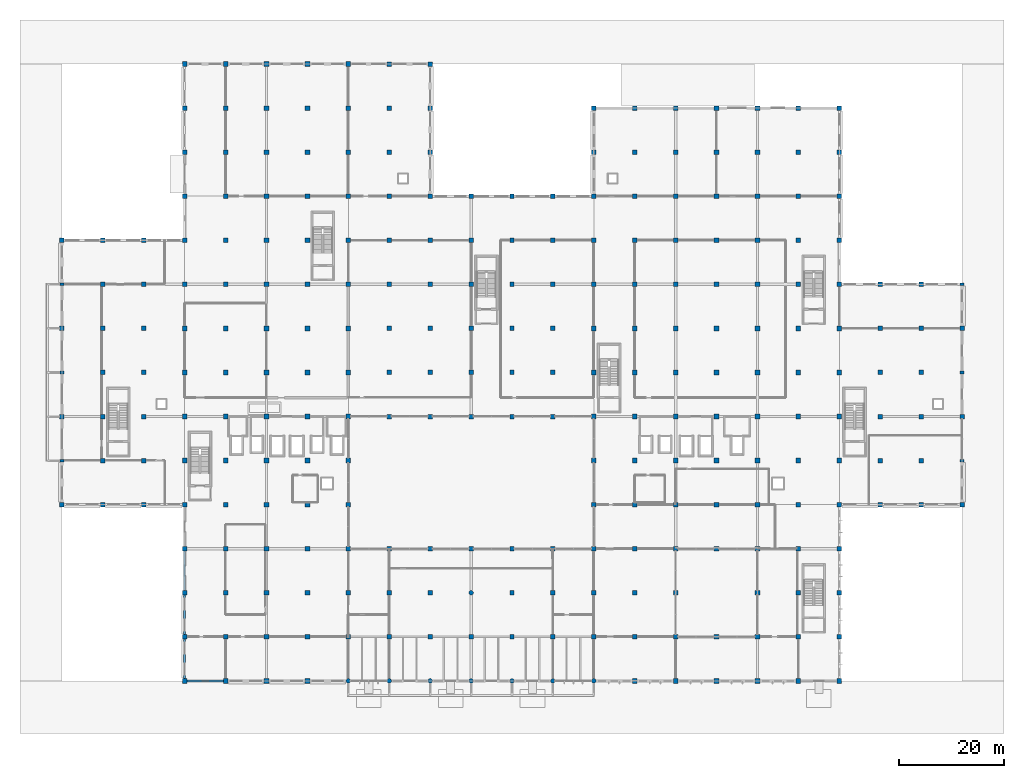
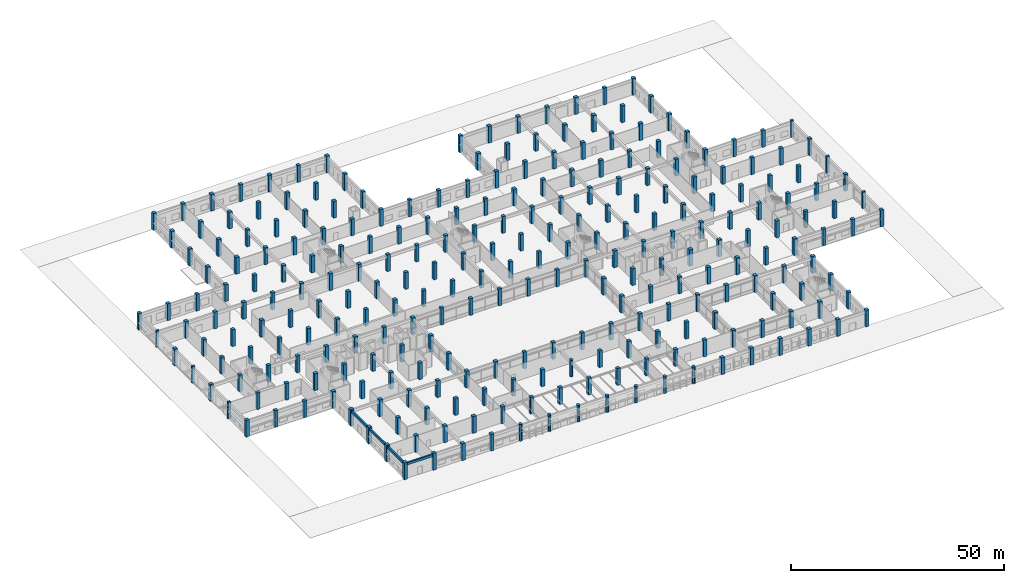
# One storey, part 1 of 74: 267 columns, 4 beams.
"""IFC4 building model written with IfcOpenShell, lengths in metres."""

from ifc_helpers import new_model, si_unit, direction, frame, origin, origin_2d, place, context, subcontext, project, spatial, rectangle, circle, extrude, material, material_profile, profile_set, type_object, element, save


model = new_model("IFC4")

# Units and contexts
model_context = context("Model", 3, precision=1e-05, world=origin(), true_north=direction((0.0, 1.0)))
body_context = subcontext(model_context, "Body", "Model", "MODEL_VIEW")
ifc_project = project(units=[si_unit("LENGTHUNIT", "METRE"), si_unit("AREAUNIT", "SQUARE_METRE"), si_unit("VOLUMEUNIT", "CUBIC_METRE"), si_unit("PLANEANGLEUNIT", "RADIAN"), si_unit("MASSUNIT", "GRAM", prefix="KILO"), si_unit("THERMODYNAMICTEMPERATUREUNIT", "KELVIN"), si_unit("POWERUNIT", "WATT")], contexts=[model_context])

# Site, building, storey
site_placement = place(None, origin())
site = spatial("IfcSite", under=ifc_project, at=site_placement, CompositionType="ELEMENT")
building_placement = place(site_placement, origin())
building = spatial("IfcBuilding", under=site, at=building_placement, Name="Srebrne Nadtorze General Hospital", CompositionType="ELEMENT")
storey_placement = place(building_placement, origin())
storey = spatial("IfcBuildingStorey", under=building, at=storey_placement, Name="L00", CompositionType="ELEMENT", Elevation=0.0)

# Columns
ifc_material_1 = material(Name="Concrete C40/50", Category="concrete")
ifc_material_profile_1 = material_profile(ifc_material_1, rectangle(XDim=0.5, YDim=0.75, at=origin_2d()), Name="RC-PIL-500x750")
ifc_profile_set_1 = profile_set([ifc_material_profile_1], Name="Concrete C40/50")
column_type_1 = type_object("IfcColumnType", Name="Pilaster column 500x750", PredefinedType="PILASTER", material=ifc_profile_set_1)
for number, where, z_axis, x_axis, name in (
    (1, (0.0, 42.0, 0.0), (0.0, 0.0, 1.0), (0.0, 1.0, 0.0), "Column CL-L00-1-F"),
    (2, (0.0, 58.800048828125, 0.0), (0.0, 0.0, 1.0), (0.0, 1.0, 0.0), "Column CL-L00-1-H"),
    (3, (0.0, 75.60009765625, 0.0), (0.0, 0.0, 1.0), (0.0, 1.0, 0.0), "Column CL-L00-1-K"),
    (4, (171.60009765625, 42.0, 0.0), (0.0, 0.0, 1.0), (0.0, 1.0, 0.0), "Column CL-L00-23-F"),
    (5, (171.60009765625, 58.800048828125, 0.0), (0.0, 0.0, 1.0), (0.0, 1.0, 0.0), "Column CL-L00-23-H"),
    (6, (171.60009765625, 75.60009765625, 0.0), (0.0, 0.0, 1.0), (0.0, 1.0, 0.0), "Column CL-L00-23-K"),
):
    element("IfcColumn", number, at=place(storey_placement, frame(where, z_axis=z_axis, x_axis=x_axis)), inside=storey, type_object=column_type_1, Name=name, PredefinedType="PILASTER", context=body_context, shape_type="SweptSolid", body=[
        extrude(rectangle(XDim=0.5, YDim=0.75, at=origin_2d()), origin(), (0.0, 0.0, 1.0), 4.800048828125),
    ])
ifc_material_2 = material(Name="Concrete C40/50", Category="concrete")
ifc_material_profile_2 = material_profile(ifc_material_2, rectangle(XDim=0.85009765625, YDim=0.85009765625, at=origin_2d()), Name="RC-COL-850x850")
ifc_profile_set_2 = profile_set([ifc_material_profile_2], Name="Concrete C40/50")
column_type_2 = type_object("IfcColumnType", Name="Reinforced concrete column 850x850", PredefinedType="COLUMN", material=ifc_profile_set_2)
for number, where, z_axis, x_axis, name in (
    (7, (0.0, 33.60009765625, 0.0), (0.0, 0.0, 1.0), (1.0, 0.0, 0.0), "Column CL-L00-1-E"),
    (8, (0.0, 50.39990234375, 0.0), (0.0, 0.0, 1.0), (1.0, 0.0, 0.0), "Column CL-L00-1-G"),
    (9, (0.0, 67.199951171875, 0.0), (0.0, 0.0, 1.0), (1.0, 0.0, 0.0), "Column CL-L00-1-J"),
    (10, (0.0, 84.0, 0.0), (0.0, 0.0, 1.0), (1.0, 0.0, 0.0), "Column CL-L00-1-L"),
    (11, (7.800048828125, 33.60009765625, 0.0), (0.0, 0.0, 1.0), (1.0, 0.0, 0.0), "Column CL-L00-2-E"),
    (12, (7.800048828125, 42.0, 0.0), (0.0, 0.0, 1.0), (1.0, 0.0, 0.0), "Column CL-L00-2-F"),
    (13, (7.800048828125, 50.39990234375, 0.0), (0.0, 0.0, 1.0), (1.0, 0.0, 0.0), "Column CL-L00-2-G"),
    (14, (7.800048828125, 58.800048828125, 0.0), (0.0, 0.0, 1.0), (1.0, 0.0, 0.0), "Column CL-L00-2-H"),
    (15, (7.800048828125, 67.199951171875, 0.0), (0.0, 0.0, 1.0), (1.0, 0.0, 0.0), "Column CL-L00-2-J"),
    (16, (7.800048828125, 75.60009765625, 0.0), (0.0, 0.0, 1.0), (1.0, 0.0, 0.0), "Column CL-L00-2-K"),
    (17, (7.800048828125, 84.0, 0.0), (0.0, 0.0, 1.0), (1.0, 0.0, 0.0), "Column CL-L00-2-L"),
    (18, (15.60009765625, 33.60009765625, 0.0), (0.0, 0.0, 1.0), (1.0, 0.0, 0.0), "Column CL-L00-3-E"),
    (19, (15.60009765625, 42.0, 0.0), (0.0, 0.0, 1.0), (1.0, 0.0, 0.0), "Column CL-L00-3-F"),
    (20, (15.60009765625, 50.39990234375, 0.0), (0.0, 0.0, 1.0), (1.0, 0.0, 0.0), "Column CL-L00-3-G"),
    (21, (15.60009765625, 58.800048828125, 0.0), (0.0, 0.0, 1.0), (1.0, 0.0, 0.0), "Column CL-L00-3-H"),
    (22, (15.60009765625, 67.199951171875, 0.0), (0.0, 0.0, 1.0), (1.0, 0.0, 0.0), "Column CL-L00-3-J"),
    (23, (15.60009765625, 75.60009765625, 0.0), (0.0, 0.0, 1.0), (1.0, 0.0, 0.0), "Column CL-L00-3-K"),
    (24, (15.60009765625, 84.0, 0.0), (0.0, 0.0, 1.0), (1.0, 0.0, 0.0), "Column CL-L00-3-L"),
    (25, (62.39990234375, 8.39990234375, 0.0), (0.0, 0.0, 1.0), (1.0, 0.0, 0.0), "Column CL-L00-9-B"),
    (26, (62.39990234375, 16.800048828125, 0.0), (0.0, 0.0, 1.0), (1.0, 0.0, 0.0), "Column CL-L00-9-C"),
    (27, (62.39990234375, 25.199951171875, 0.0), (0.0, 0.0, 1.0), (1.0, 0.0, 0.0), "Column CL-L00-9-D"),
    (28, (62.39990234375, 50.39990234375, 0.0), (0.0, 0.0, 1.0), (1.0, 0.0, 0.0), "Column CL-L00-9-G"),
    (29, (62.39990234375, 58.800048828125, 0.0), (0.0, 0.0, 1.0), (1.0, 0.0, 0.0), "Column CL-L00-9-H"),
    (30, (62.39990234375, 67.199951171875, 0.0), (0.0, 0.0, 1.0), (1.0, 0.0, 0.0), "Column CL-L00-9-J"),
    (31, (62.39990234375, 75.60009765625, 0.0), (0.0, 0.0, 1.0), (1.0, 0.0, 0.0), "Column CL-L00-9-K"),
    (32, (62.39990234375, 84.0, 0.0), (0.0, 0.0, 1.0), (1.0, 0.0, 0.0), "Column CL-L00-9-L"),
    (33, (62.39990234375, 92.39990234375, 0.0), (0.0, 0.0, 1.0), (1.0, 0.0, 0.0), "Column CL-L00-9-M"),
    (34, (62.39990234375, 100.800048828125, 0.0), (0.0, 0.0, 1.0), (1.0, 0.0, 0.0), "Column CL-L00-9-N"),
    (35, (62.39990234375, 109.199951171875, 0.0), (0.0, 0.0, 1.0), (1.0, 0.0, 0.0), "Column CL-L00-9-P"),
    (36, (62.39990234375, 117.60009765625, 0.0), (0.0, 0.0, 1.0), (1.0, 0.0, 0.0), "Column CL-L00-9-Q"),
    (37, (70.199951171875, 8.39990234375, 0.0), (0.0, 0.0, 1.0), (1.0, 0.0, 0.0), "Column CL-L00-10-B"),
    (38, (70.199951171875, 16.800048828125, 0.0), (0.0, 0.0, 1.0), (1.0, 0.0, 0.0), "Column CL-L00-10-C"),
    (39, (70.199951171875, 25.199951171875, 0.0), (0.0, 0.0, 1.0), (1.0, 0.0, 0.0), "Column CL-L00-10-D"),
    (40, (70.199951171875, 50.39990234375, 0.0), (0.0, 0.0, 1.0), (1.0, 0.0, 0.0), "Column CL-L00-10-G"),
    (41, (70.199951171875, 58.800048828125, 0.0), (0.0, 0.0, 1.0), (1.0, 0.0, 0.0), "Column CL-L00-10-H"),
    (42, (70.199951171875, 67.199951171875, 0.0), (0.0, 0.0, 1.0), (1.0, 0.0, 0.0), "Column CL-L00-10-J"),
    (43, (70.199951171875, 75.60009765625, 0.0), (0.0, 0.0, 1.0), (1.0, 0.0, 0.0), "Column CL-L00-10-K"),
    (44, (70.199951171875, 84.0, 0.0), (0.0, 0.0, 1.0), (1.0, 0.0, 0.0), "Column CL-L00-10-L"),
    (45, (70.199951171875, 92.39990234375, 0.0), (0.0, 0.0, 1.0), (1.0, 0.0, 0.0), "Column CL-L00-10-M"),
    (46, (70.199951171875, 100.800048828125, 0.0), (0.0, 0.0, 1.0), (1.0, 0.0, 0.0), "Column CL-L00-10-N"),
    (47, (70.199951171875, 109.199951171875, 0.0), (0.0, 0.0, 1.0), (1.0, 0.0, 0.0), "Column CL-L00-10-P"),
    (48, (70.199951171875, 117.60009765625, 0.0), (0.0, 0.0, 1.0), (1.0, 0.0, 0.0), "Column CL-L00-10-Q"),
    (49, (78.0, 8.39990234375, 0.0), (0.0, 0.0, 1.0), (1.0, 0.0, 0.0), "Column CL-L00-11-B"),
    (50, (78.0, 25.199951171875, 0.0), (0.0, 0.0, 1.0), (1.0, 0.0, 0.0), "Column CL-L00-11-D"),
    (51, (78.0, 50.39990234375, 0.0), (0.0, 0.0, 1.0), (1.0, 0.0, 0.0), "Column CL-L00-11-G"),
    (52, (78.0, 58.800048828125, 0.0), (0.0, 0.0, 1.0), (1.0, 0.0, 0.0), "Column CL-L00-11-H"),
    (53, (78.0, 67.199951171875, 0.0), (0.0, 0.0, 1.0), (1.0, 0.0, 0.0), "Column CL-L00-11-J"),
    (54, (78.0, 75.60009765625, 0.0), (0.0, 0.0, 1.0), (1.0, 0.0, 0.0), "Column CL-L00-11-K"),
    (55, (78.0, 84.0, 0.0), (0.0, 0.0, 1.0), (1.0, 0.0, 0.0), "Column CL-L00-11-L"),
    (56, (78.0, 92.39990234375, 0.0), (0.0, 0.0, 1.0), (1.0, 0.0, 0.0), "Column CL-L00-11-M"),
    (57, (85.800048828125, 8.39990234375, 0.0), (0.0, 0.0, 1.0), (1.0, 0.0, 0.0), "Column CL-L00-12-B"),
    (58, (85.800048828125, 16.800048828125, 0.0), (0.0, 0.0, 1.0), (1.0, 0.0, 0.0), "Column CL-L00-12-C"),
    (59, (85.800048828125, 25.199951171875, 0.0), (0.0, 0.0, 1.0), (1.0, 0.0, 0.0), "Column CL-L00-12-D"),
    (60, (85.800048828125, 50.39990234375, 0.0), (0.0, 0.0, 1.0), (1.0, 0.0, 0.0), "Column CL-L00-12-G"),
    (61, (85.800048828125, 58.800048828125, 0.0), (0.0, 0.0, 1.0), (1.0, 0.0, 0.0), "Column CL-L00-12-H"),
    (62, (85.800048828125, 67.199951171875, 0.0), (0.0, 0.0, 1.0), (1.0, 0.0, 0.0), "Column CL-L00-12-J"),
    (63, (85.800048828125, 75.60009765625, 0.0), (0.0, 0.0, 1.0), (1.0, 0.0, 0.0), "Column CL-L00-12-K"),
    (64, (85.800048828125, 84.0, 0.0), (0.0, 0.0, 1.0), (1.0, 0.0, 0.0), "Column CL-L00-12-L"),
    (65, (85.800048828125, 92.39990234375, 0.0), (0.0, 0.0, 1.0), (1.0, 0.0, 0.0), "Column CL-L00-12-M"),
    (66, (93.60009765625, 8.39990234375, 0.0), (0.0, 0.0, 1.0), (1.0, 0.0, 0.0), "Column CL-L00-13-B"),
    (67, (93.60009765625, 16.800048828125, 0.0), (0.0, 0.0, 1.0), (1.0, 0.0, 0.0), "Column CL-L00-13-C"),
    (68, (93.60009765625, 25.199951171875, 0.0), (0.0, 0.0, 1.0), (1.0, 0.0, 0.0), "Column CL-L00-13-D"),
    (69, (93.60009765625, 50.39990234375, 0.0), (0.0, 0.0, 1.0), (1.0, 0.0, 0.0), "Column CL-L00-13-G"),
    (70, (93.60009765625, 58.800048828125, 0.0), (0.0, 0.0, 1.0), (1.0, 0.0, 0.0), "Column CL-L00-13-H"),
    (71, (93.60009765625, 67.199951171875, 0.0), (0.0, 0.0, 1.0), (1.0, 0.0, 0.0), "Column CL-L00-13-J"),
    (72, (93.60009765625, 75.60009765625, 0.0), (0.0, 0.0, 1.0), (1.0, 0.0, 0.0), "Column CL-L00-13-K"),
    (73, (93.60009765625, 84.0, 0.0), (0.0, 0.0, 1.0), (1.0, 0.0, 0.0), "Column CL-L00-13-L"),
    (74, (93.60009765625, 92.39990234375, 0.0), (0.0, 0.0, 1.0), (1.0, 0.0, 0.0), "Column CL-L00-13-M"),
    (75, (156.0, 33.60009765625, 0.0), (0.0, 0.0, 1.0), (1.0, 0.0, 0.0), "Column CL-L00-21-E"),
    (76, (156.0, 42.0, 0.0), (0.0, 0.0, 1.0), (1.0, 0.0, 0.0), "Column CL-L00-21-F"),
    (77, (156.0, 50.39990234375, 0.0), (0.0, 0.0, 1.0), (1.0, 0.0, 0.0), "Column CL-L00-21-G"),
    (78, (156.0, 58.800048828125, 0.0), (0.0, 0.0, 1.0), (1.0, 0.0, 0.0), "Column CL-L00-21-H"),
    (79, (156.0, 67.199951171875, 0.0), (0.0, 0.0, 1.0), (1.0, 0.0, 0.0), "Column CL-L00-21-J"),
    (80, (156.0, 75.60009765625, 0.0), (0.0, 0.0, 1.0), (1.0, 0.0, 0.0), "Column CL-L00-21-K"),
    (81, (163.800048828125, 33.60009765625, 0.0), (0.0, 0.0, 1.0), (1.0, 0.0, 0.0), "Column CL-L00-22-E"),
    (82, (163.800048828125, 42.0, 0.0), (0.0, 0.0, 1.0), (1.0, 0.0, 0.0), "Column CL-L00-22-F"),
    (83, (163.800048828125, 50.39990234375, 0.0), (0.0, 0.0, 1.0), (1.0, 0.0, 0.0), "Column CL-L00-22-G"),
    (84, (163.800048828125, 58.800048828125, 0.0), (0.0, 0.0, 1.0), (1.0, 0.0, 0.0), "Column CL-L00-22-H"),
    (85, (163.800048828125, 67.199951171875, 0.0), (0.0, 0.0, 1.0), (1.0, 0.0, 0.0), "Column CL-L00-22-J"),
    (86, (163.800048828125, 75.60009765625, 0.0), (0.0, 0.0, 1.0), (1.0, 0.0, 0.0), "Column CL-L00-22-K"),
    (87, (171.60009765625, 33.60009765625, 0.0), (0.0, 0.0, 1.0), (1.0, 0.0, 0.0), "Column CL-L00-23-E"),
    (88, (171.60009765625, 50.39990234375, 0.0), (0.0, 0.0, 1.0), (1.0, 0.0, 0.0), "Column CL-L00-23-G"),
    (89, (171.60009765625, 67.199951171875, 0.0), (0.0, 0.0, 1.0), (1.0, 0.0, 0.0), "Column CL-L00-23-J"),
):
    element("IfcColumn", number, at=place(storey_placement, frame(where, z_axis=z_axis, x_axis=x_axis)), inside=storey, type_object=column_type_2, Name=name, PredefinedType="COLUMN", context=body_context, shape_type="SweptSolid", body=[
        extrude(rectangle(XDim=0.85009765625, YDim=0.85009765625, at=origin_2d()), origin(), (0.0, 0.0, 1.0), 4.800048828125),
    ])
ifc_material_3 = material(Name="Concrete C40/50", Category="concrete")
ifc_material_profile_3 = material_profile(ifc_material_3, rectangle(XDim=0.89990234375, YDim=0.89990234375, at=origin_2d()), Name="RC-COL-900x900")
ifc_profile_set_3 = profile_set([ifc_material_profile_3], Name="Concrete C40/50")
column_type_3 = type_object("IfcColumnType", Name="Reinforced concrete column 900x900", PredefinedType="COLUMN", material=ifc_profile_set_3)
for number, where, z_axis, x_axis, name in (
    (90, (23.39990234375, 0.0, 0.0), (0.0, 0.0, 1.0), (1.0, 0.0, 0.0), "Column CL-L00-4-A"),
    (91, (23.39990234375, 8.39990234375, 0.0), (0.0, 0.0, 1.0), (1.0, 0.0, 0.0), "Column CL-L00-4-B"),
    (92, (23.39990234375, 16.800048828125, 0.0), (0.0, 0.0, 1.0), (1.0, 0.0, 0.0), "Column CL-L00-4-C"),
    (93, (23.39990234375, 25.199951171875, 0.0), (0.0, 0.0, 1.0), (1.0, 0.0, 0.0), "Column CL-L00-4-D"),
    (94, (23.39990234375, 33.60009765625, 0.0), (0.0, 0.0, 1.0), (1.0, 0.0, 0.0), "Column CL-L00-4-E"),
    (95, (23.39990234375, 42.0, 0.0), (0.0, 0.0, 1.0), (1.0, 0.0, 0.0), "Column CL-L00-4-F"),
    (96, (23.39990234375, 50.39990234375, 0.0), (0.0, 0.0, 1.0), (1.0, 0.0, 0.0), "Column CL-L00-4-G"),
    (97, (23.39990234375, 58.800048828125, 0.0), (0.0, 0.0, 1.0), (1.0, 0.0, 0.0), "Column CL-L00-4-H"),
    (98, (23.39990234375, 67.199951171875, 0.0), (0.0, 0.0, 1.0), (1.0, 0.0, 0.0), "Column CL-L00-4-J"),
    (99, (23.39990234375, 75.60009765625, 0.0), (0.0, 0.0, 1.0), (1.0, 0.0, 0.0), "Column CL-L00-4-K"),
    (100, (23.39990234375, 84.0, 0.0), (0.0, 0.0, 1.0), (1.0, 0.0, 0.0), "Column CL-L00-4-L"),
    (101, (23.39990234375, 92.39990234375, 0.0), (0.0, 0.0, 1.0), (1.0, 0.0, 0.0), "Column CL-L00-4-M"),
    (102, (23.39990234375, 100.800048828125, 0.0), (0.0, 0.0, 1.0), (1.0, 0.0, 0.0), "Column CL-L00-4-N"),
    (103, (23.39990234375, 109.199951171875, 0.0), (0.0, 0.0, 1.0), (1.0, 0.0, 0.0), "Column CL-L00-4-P"),
    (104, (23.39990234375, 117.60009765625, 0.0), (0.0, 0.0, 1.0), (1.0, 0.0, 0.0), "Column CL-L00-4-Q"),
    (105, (31.199951171875, 0.0, 0.0), (0.0, 0.0, 1.0), (1.0, 0.0, 0.0), "Column CL-L00-5-A"),
    (106, (31.199951171875, 8.39990234375, 0.0), (0.0, 0.0, 1.0), (1.0, 0.0, 0.0), "Column CL-L00-5-B"),
    (107, (31.199951171875, 16.800048828125, 0.0), (0.0, 0.0, 1.0), (1.0, 0.0, 0.0), "Column CL-L00-5-C"),
    (108, (31.199951171875, 25.199951171875, 0.0), (0.0, 0.0, 1.0), (1.0, 0.0, 0.0), "Column CL-L00-5-D"),
    (109, (31.199951171875, 33.60009765625, 0.0), (0.0, 0.0, 1.0), (1.0, 0.0, 0.0), "Column CL-L00-5-E"),
    (110, (31.199951171875, 42.0, 0.0), (0.0, 0.0, 1.0), (1.0, 0.0, 0.0), "Column CL-L00-5-F"),
    (111, (31.199951171875, 50.39990234375, 0.0), (0.0, 0.0, 1.0), (1.0, 0.0, 0.0), "Column CL-L00-5-G"),
    (112, (31.199951171875, 58.800048828125, 0.0), (0.0, 0.0, 1.0), (1.0, 0.0, 0.0), "Column CL-L00-5-H"),
    (113, (31.199951171875, 67.199951171875, 0.0), (0.0, 0.0, 1.0), (1.0, 0.0, 0.0), "Column CL-L00-5-J"),
    (114, (31.199951171875, 75.60009765625, 0.0), (0.0, 0.0, 1.0), (1.0, 0.0, 0.0), "Column CL-L00-5-K"),
    (115, (31.199951171875, 84.0, 0.0), (0.0, 0.0, 1.0), (1.0, 0.0, 0.0), "Column CL-L00-5-L"),
    (116, (31.199951171875, 92.39990234375, 0.0), (0.0, 0.0, 1.0), (1.0, 0.0, 0.0), "Column CL-L00-5-M"),
    (117, (31.199951171875, 100.800048828125, 0.0), (0.0, 0.0, 1.0), (1.0, 0.0, 0.0), "Column CL-L00-5-N"),
    (118, (31.199951171875, 109.199951171875, 0.0), (0.0, 0.0, 1.0), (1.0, 0.0, 0.0), "Column CL-L00-5-P"),
    (119, (31.199951171875, 117.60009765625, 0.0), (0.0, 0.0, 1.0), (1.0, 0.0, 0.0), "Column CL-L00-5-Q"),
    (120, (39.0, 0.0, 0.0), (0.0, 0.0, 1.0), (1.0, 0.0, 0.0), "Column CL-L00-6-A"),
    (121, (39.0, 8.39990234375, 0.0), (0.0, 0.0, 1.0), (1.0, 0.0, 0.0), "Column CL-L00-6-B"),
    (122, (39.0, 16.800048828125, 0.0), (0.0, 0.0, 1.0), (1.0, 0.0, 0.0), "Column CL-L00-6-C"),
    (123, (39.0, 25.199951171875, 0.0), (0.0, 0.0, 1.0), (1.0, 0.0, 0.0), "Column CL-L00-6-D"),
    (124, (39.0, 33.60009765625, 0.0), (0.0, 0.0, 1.0), (1.0, 0.0, 0.0), "Column CL-L00-6-E"),
    (125, (39.0, 42.0, 0.0), (0.0, 0.0, 1.0), (1.0, 0.0, 0.0), "Column CL-L00-6-F"),
    (126, (39.0, 50.39990234375, 0.0), (0.0, 0.0, 1.0), (1.0, 0.0, 0.0), "Column CL-L00-6-G"),
    (127, (39.0, 58.800048828125, 0.0), (0.0, 0.0, 1.0), (1.0, 0.0, 0.0), "Column CL-L00-6-H"),
    (128, (39.0, 67.199951171875, 0.0), (0.0, 0.0, 1.0), (1.0, 0.0, 0.0), "Column CL-L00-6-J"),
    (129, (39.0, 75.60009765625, 0.0), (0.0, 0.0, 1.0), (1.0, 0.0, 0.0), "Column CL-L00-6-K"),
    (130, (39.0, 84.0, 0.0), (0.0, 0.0, 1.0), (1.0, 0.0, 0.0), "Column CL-L00-6-L"),
    (131, (39.0, 92.39990234375, 0.0), (0.0, 0.0, 1.0), (1.0, 0.0, 0.0), "Column CL-L00-6-M"),
    (132, (39.0, 100.800048828125, 0.0), (0.0, 0.0, 1.0), (1.0, 0.0, 0.0), "Column CL-L00-6-N"),
    (133, (39.0, 109.199951171875, 0.0), (0.0, 0.0, 1.0), (1.0, 0.0, 0.0), "Column CL-L00-6-P"),
    (134, (39.0, 117.60009765625, 0.0), (0.0, 0.0, 1.0), (1.0, 0.0, 0.0), "Column CL-L00-6-Q"),
    (135, (46.800048828125, 0.0, 0.0), (0.0, 0.0, 1.0), (1.0, 0.0, 0.0), "Column CL-L00-7-A"),
    (136, (46.800048828125, 8.39990234375, 0.0), (0.0, 0.0, 1.0), (1.0, 0.0, 0.0), "Column CL-L00-7-B"),
    (137, (46.800048828125, 16.800048828125, 0.0), (0.0, 0.0, 1.0), (1.0, 0.0, 0.0), "Column CL-L00-7-C"),
    (138, (46.800048828125, 25.199951171875, 0.0), (0.0, 0.0, 1.0), (1.0, 0.0, 0.0), "Column CL-L00-7-D"),
    (139, (46.800048828125, 33.60009765625, 0.0), (0.0, 0.0, 1.0), (1.0, 0.0, 0.0), "Column CL-L00-7-E"),
    (140, (46.800048828125, 42.0, 0.0), (0.0, 0.0, 1.0), (1.0, 0.0, 0.0), "Column CL-L00-7-F"),
    (141, (46.800048828125, 50.39990234375, 0.0), (0.0, 0.0, 1.0), (1.0, 0.0, 0.0), "Column CL-L00-7-G"),
    (142, (46.800048828125, 58.800048828125, 0.0), (0.0, 0.0, 1.0), (1.0, 0.0, 0.0), "Column CL-L00-7-H"),
    (143, (46.800048828125, 67.199951171875, 0.0), (0.0, 0.0, 1.0), (1.0, 0.0, 0.0), "Column CL-L00-7-J"),
    (144, (46.800048828125, 75.60009765625, 0.0), (0.0, 0.0, 1.0), (1.0, 0.0, 0.0), "Column CL-L00-7-K"),
    (145, (46.800048828125, 84.0, 0.0), (0.0, 0.0, 1.0), (1.0, 0.0, 0.0), "Column CL-L00-7-L"),
    (146, (46.800048828125, 92.39990234375, 0.0), (0.0, 0.0, 1.0), (1.0, 0.0, 0.0), "Column CL-L00-7-M"),
    (147, (46.800048828125, 100.800048828125, 0.0), (0.0, 0.0, 1.0), (1.0, 0.0, 0.0), "Column CL-L00-7-N"),
    (148, (46.800048828125, 109.199951171875, 0.0), (0.0, 0.0, 1.0), (1.0, 0.0, 0.0), "Column CL-L00-7-P"),
    (149, (46.800048828125, 117.60009765625, 0.0), (0.0, 0.0, 1.0), (1.0, 0.0, 0.0), "Column CL-L00-7-Q"),
    (150, (54.60009765625, 8.39990234375, 0.0), (0.0, 0.0, 1.0), (1.0, 0.0, 0.0), "Column CL-L00-8-B"),
    (151, (54.60009765625, 16.800048828125, 0.0), (0.0, 0.0, 1.0), (1.0, 0.0, 0.0), "Column CL-L00-8-C"),
    (152, (54.60009765625, 25.199951171875, 0.0), (0.0, 0.0, 1.0), (1.0, 0.0, 0.0), "Column CL-L00-8-D"),
    (153, (54.60009765625, 33.60009765625, 0.0), (0.0, 0.0, 1.0), (1.0, 0.0, 0.0), "Column CL-L00-8-E"),
    (154, (54.60009765625, 42.0, 0.0), (0.0, 0.0, 1.0), (1.0, 0.0, 0.0), "Column CL-L00-8-F"),
    (155, (54.60009765625, 50.39990234375, 0.0), (0.0, 0.0, 1.0), (1.0, 0.0, 0.0), "Column CL-L00-8-G"),
    (156, (54.60009765625, 58.800048828125, 0.0), (0.0, 0.0, 1.0), (1.0, 0.0, 0.0), "Column CL-L00-8-H"),
    (157, (54.60009765625, 67.199951171875, 0.0), (0.0, 0.0, 1.0), (1.0, 0.0, 0.0), "Column CL-L00-8-J"),
    (158, (54.60009765625, 75.60009765625, 0.0), (0.0, 0.0, 1.0), (1.0, 0.0, 0.0), "Column CL-L00-8-K"),
    (159, (54.60009765625, 84.0, 0.0), (0.0, 0.0, 1.0), (1.0, 0.0, 0.0), "Column CL-L00-8-L"),
    (160, (54.60009765625, 92.39990234375, 0.0), (0.0, 0.0, 1.0), (1.0, 0.0, 0.0), "Column CL-L00-8-M"),
    (161, (54.60009765625, 100.800048828125, 0.0), (0.0, 0.0, 1.0), (1.0, 0.0, 0.0), "Column CL-L00-8-N"),
    (162, (54.60009765625, 109.199951171875, 0.0), (0.0, 0.0, 1.0), (1.0, 0.0, 0.0), "Column CL-L00-8-P"),
    (163, (54.60009765625, 117.60009765625, 0.0), (0.0, 0.0, 1.0), (1.0, 0.0, 0.0), "Column CL-L00-8-Q"),
    (164, (101.39990234375, 8.39990234375, 0.0), (0.0, 0.0, 1.0), (1.0, 0.0, 0.0), "Column CL-L00-14-B"),
    (165, (101.39990234375, 16.800048828125, 0.0), (0.0, 0.0, 1.0), (1.0, 0.0, 0.0), "Column CL-L00-14-C"),
    (166, (101.39990234375, 25.199951171875, 0.0), (0.0, 0.0, 1.0), (1.0, 0.0, 0.0), "Column CL-L00-14-D"),
    (167, (101.39990234375, 33.60009765625, 0.0), (0.0, 0.0, 1.0), (1.0, 0.0, 0.0), "Column CL-L00-14-E"),
    (168, (101.39990234375, 42.0, 0.0), (0.0, 0.0, 1.0), (1.0, 0.0, 0.0), "Column CL-L00-14-F"),
    (169, (101.39990234375, 50.39990234375, 0.0), (0.0, 0.0, 1.0), (1.0, 0.0, 0.0), "Column CL-L00-14-G"),
    (170, (101.39990234375, 58.800048828125, 0.0), (0.0, 0.0, 1.0), (1.0, 0.0, 0.0), "Column CL-L00-14-H"),
    (171, (101.39990234375, 67.199951171875, 0.0), (0.0, 0.0, 1.0), (1.0, 0.0, 0.0), "Column CL-L00-14-J"),
    (172, (101.39990234375, 75.60009765625, 0.0), (0.0, 0.0, 1.0), (1.0, 0.0, 0.0), "Column CL-L00-14-K"),
    (173, (101.39990234375, 84.0, 0.0), (0.0, 0.0, 1.0), (1.0, 0.0, 0.0), "Column CL-L00-14-L"),
    (174, (101.39990234375, 92.39990234375, 0.0), (0.0, 0.0, 1.0), (1.0, 0.0, 0.0), "Column CL-L00-14-M"),
    (175, (101.39990234375, 100.800048828125, 0.0), (0.0, 0.0, 1.0), (1.0, 0.0, 0.0), "Column CL-L00-14-N"),
    (176, (101.39990234375, 109.199951171875, 0.0), (0.0, 0.0, 1.0), (1.0, 0.0, 0.0), "Column CL-L00-14-P"),
    (177, (109.199951171875, 0.0, 0.0), (0.0, 0.0, 1.0), (1.0, 0.0, 0.0), "Column CL-L00-15-A"),
    (178, (109.199951171875, 8.39990234375, 0.0), (0.0, 0.0, 1.0), (1.0, 0.0, 0.0), "Column CL-L00-15-B"),
    (179, (109.199951171875, 16.800048828125, 0.0), (0.0, 0.0, 1.0), (1.0, 0.0, 0.0), "Column CL-L00-15-C"),
    (180, (109.199951171875, 25.199951171875, 0.0), (0.0, 0.0, 1.0), (1.0, 0.0, 0.0), "Column CL-L00-15-D"),
    (181, (109.199951171875, 33.60009765625, 0.0), (0.0, 0.0, 1.0), (1.0, 0.0, 0.0), "Column CL-L00-15-E"),
    (182, (109.199951171875, 42.0, 0.0), (0.0, 0.0, 1.0), (1.0, 0.0, 0.0), "Column CL-L00-15-F"),
    (183, (109.199951171875, 50.39990234375, 0.0), (0.0, 0.0, 1.0), (1.0, 0.0, 0.0), "Column CL-L00-15-G"),
    (184, (109.199951171875, 58.800048828125, 0.0), (0.0, 0.0, 1.0), (1.0, 0.0, 0.0), "Column CL-L00-15-H"),
    (185, (109.199951171875, 67.199951171875, 0.0), (0.0, 0.0, 1.0), (1.0, 0.0, 0.0), "Column CL-L00-15-J"),
    (186, (109.199951171875, 75.60009765625, 0.0), (0.0, 0.0, 1.0), (1.0, 0.0, 0.0), "Column CL-L00-15-K"),
    (187, (109.199951171875, 84.0, 0.0), (0.0, 0.0, 1.0), (1.0, 0.0, 0.0), "Column CL-L00-15-L"),
    (188, (109.199951171875, 92.39990234375, 0.0), (0.0, 0.0, 1.0), (1.0, 0.0, 0.0), "Column CL-L00-15-M"),
    (189, (109.199951171875, 100.800048828125, 0.0), (0.0, 0.0, 1.0), (1.0, 0.0, 0.0), "Column CL-L00-15-N"),
    (190, (109.199951171875, 109.199951171875, 0.0), (0.0, 0.0, 1.0), (1.0, 0.0, 0.0), "Column CL-L00-15-P"),
    (191, (117.0, 0.0, 0.0), (0.0, 0.0, 1.0), (1.0, 0.0, 0.0), "Column CL-L00-16-A"),
    (192, (117.0, 8.39990234375, 0.0), (0.0, 0.0, 1.0), (1.0, 0.0, 0.0), "Column CL-L00-16-B"),
    (193, (117.0, 16.800048828125, 0.0), (0.0, 0.0, 1.0), (1.0, 0.0, 0.0), "Column CL-L00-16-C"),
    (194, (117.0, 25.199951171875, 0.0), (0.0, 0.0, 1.0), (1.0, 0.0, 0.0), "Column CL-L00-16-D"),
    (195, (117.0, 33.60009765625, 0.0), (0.0, 0.0, 1.0), (1.0, 0.0, 0.0), "Column CL-L00-16-E"),
    (196, (117.0, 42.0, 0.0), (0.0, 0.0, 1.0), (1.0, 0.0, 0.0), "Column CL-L00-16-F"),
    (197, (117.0, 50.39990234375, 0.0), (0.0, 0.0, 1.0), (1.0, 0.0, 0.0), "Column CL-L00-16-G"),
    (198, (117.0, 58.800048828125, 0.0), (0.0, 0.0, 1.0), (1.0, 0.0, 0.0), "Column CL-L00-16-H"),
    (199, (117.0, 67.199951171875, 0.0), (0.0, 0.0, 1.0), (1.0, 0.0, 0.0), "Column CL-L00-16-J"),
    (200, (117.0, 75.60009765625, 0.0), (0.0, 0.0, 1.0), (1.0, 0.0, 0.0), "Column CL-L00-16-K"),
    (201, (117.0, 84.0, 0.0), (0.0, 0.0, 1.0), (1.0, 0.0, 0.0), "Column CL-L00-16-L"),
    (202, (117.0, 92.39990234375, 0.0), (0.0, 0.0, 1.0), (1.0, 0.0, 0.0), "Column CL-L00-16-M"),
    (203, (117.0, 100.800048828125, 0.0), (0.0, 0.0, 1.0), (1.0, 0.0, 0.0), "Column CL-L00-16-N"),
    (204, (117.0, 109.199951171875, 0.0), (0.0, 0.0, 1.0), (1.0, 0.0, 0.0), "Column CL-L00-16-P"),
    (205, (124.800048828125, 0.0, 0.0), (0.0, 0.0, 1.0), (1.0, 0.0, 0.0), "Column CL-L00-17-A"),
    (206, (124.800048828125, 8.39990234375, 0.0), (0.0, 0.0, 1.0), (1.0, 0.0, 0.0), "Column CL-L00-17-B"),
    (207, (124.800048828125, 25.199951171875, 0.0), (0.0, 0.0, 1.0), (1.0, 0.0, 0.0), "Column CL-L00-17-D"),
    (208, (124.800048828125, 33.60009765625, 0.0), (0.0, 0.0, 1.0), (1.0, 0.0, 0.0), "Column CL-L00-17-E"),
    (209, (124.800048828125, 42.0, 0.0), (0.0, 0.0, 1.0), (1.0, 0.0, 0.0), "Column CL-L00-17-F"),
    (210, (124.800048828125, 50.39990234375, 0.0), (0.0, 0.0, 1.0), (1.0, 0.0, 0.0), "Column CL-L00-17-G"),
    (211, (124.800048828125, 58.800048828125, 0.0), (0.0, 0.0, 1.0), (1.0, 0.0, 0.0), "Column CL-L00-17-H"),
    (212, (124.800048828125, 67.199951171875, 0.0), (0.0, 0.0, 1.0), (1.0, 0.0, 0.0), "Column CL-L00-17-J"),
    (213, (124.800048828125, 75.60009765625, 0.0), (0.0, 0.0, 1.0), (1.0, 0.0, 0.0), "Column CL-L00-17-K"),
    (214, (124.800048828125, 84.0, 0.0), (0.0, 0.0, 1.0), (1.0, 0.0, 0.0), "Column CL-L00-17-L"),
    (215, (124.800048828125, 92.39990234375, 0.0), (0.0, 0.0, 1.0), (1.0, 0.0, 0.0), "Column CL-L00-17-M"),
    (216, (124.800048828125, 100.800048828125, 0.0), (0.0, 0.0, 1.0), (1.0, 0.0, 0.0), "Column CL-L00-17-N"),
    (217, (124.800048828125, 109.199951171875, 0.0), (0.0, 0.0, 1.0), (1.0, 0.0, 0.0), "Column CL-L00-17-P"),
    (218, (132.60009765625, 0.0, 0.0), (0.0, 0.0, 1.0), (1.0, 0.0, 0.0), "Column CL-L00-18-A"),
    (219, (132.60009765625, 8.39990234375, 0.0), (0.0, 0.0, 1.0), (1.0, 0.0, 0.0), "Column CL-L00-18-B"),
    (220, (132.60009765625, 16.800048828125, 0.0), (0.0, 0.0, 1.0), (1.0, 0.0, 0.0), "Column CL-L00-18-C"),
    (221, (132.60009765625, 25.199951171875, 0.0), (0.0, 0.0, 1.0), (1.0, 0.0, 0.0), "Column CL-L00-18-D"),
    (222, (132.60009765625, 33.60009765625, 0.0), (0.0, 0.0, 1.0), (1.0, 0.0, 0.0), "Column CL-L00-18-E"),
    (223, (132.60009765625, 42.0, 0.0), (0.0, 0.0, 1.0), (1.0, 0.0, 0.0), "Column CL-L00-18-F"),
    (224, (132.60009765625, 50.39990234375, 0.0), (0.0, 0.0, 1.0), (1.0, 0.0, 0.0), "Column CL-L00-18-G"),
    (225, (132.60009765625, 58.800048828125, 0.0), (0.0, 0.0, 1.0), (1.0, 0.0, 0.0), "Column CL-L00-18-H"),
    (226, (132.60009765625, 67.199951171875, 0.0), (0.0, 0.0, 1.0), (1.0, 0.0, 0.0), "Column CL-L00-18-J"),
    (227, (132.60009765625, 75.60009765625, 0.0), (0.0, 0.0, 1.0), (1.0, 0.0, 0.0), "Column CL-L00-18-K"),
    (228, (132.60009765625, 84.0, 0.0), (0.0, 0.0, 1.0), (1.0, 0.0, 0.0), "Column CL-L00-18-L"),
    (229, (132.60009765625, 92.39990234375, 0.0), (0.0, 0.0, 1.0), (1.0, 0.0, 0.0), "Column CL-L00-18-M"),
    (230, (132.60009765625, 100.800048828125, 0.0), (0.0, 0.0, 1.0), (1.0, 0.0, 0.0), "Column CL-L00-18-N"),
    (231, (132.60009765625, 109.199951171875, 0.0), (0.0, 0.0, 1.0), (1.0, 0.0, 0.0), "Column CL-L00-18-P"),
    (232, (140.39990234375, 0.0, 0.0), (0.0, 0.0, 1.0), (1.0, 0.0, 0.0), "Column CL-L00-19-A"),
    (233, (140.39990234375, 8.39990234375, 0.0), (0.0, 0.0, 1.0), (1.0, 0.0, 0.0), "Column CL-L00-19-B"),
    (234, (140.39990234375, 16.800048828125, 0.0), (0.0, 0.0, 1.0), (1.0, 0.0, 0.0), "Column CL-L00-19-C"),
    (235, (140.39990234375, 25.199951171875, 0.0), (0.0, 0.0, 1.0), (1.0, 0.0, 0.0), "Column CL-L00-19-D"),
    (236, (140.39990234375, 33.60009765625, 0.0), (0.0, 0.0, 1.0), (1.0, 0.0, 0.0), "Column CL-L00-19-E"),
    (237, (140.39990234375, 42.0, 0.0), (0.0, 0.0, 1.0), (1.0, 0.0, 0.0), "Column CL-L00-19-F"),
    (238, (140.39990234375, 50.39990234375, 0.0), (0.0, 0.0, 1.0), (1.0, 0.0, 0.0), "Column CL-L00-19-G"),
    (239, (140.39990234375, 58.800048828125, 0.0), (0.0, 0.0, 1.0), (1.0, 0.0, 0.0), "Column CL-L00-19-H"),
    (240, (140.39990234375, 67.199951171875, 0.0), (0.0, 0.0, 1.0), (1.0, 0.0, 0.0), "Column CL-L00-19-J"),
    (241, (140.39990234375, 75.60009765625, 0.0), (0.0, 0.0, 1.0), (1.0, 0.0, 0.0), "Column CL-L00-19-K"),
    (242, (140.39990234375, 84.0, 0.0), (0.0, 0.0, 1.0), (1.0, 0.0, 0.0), "Column CL-L00-19-L"),
    (243, (140.39990234375, 92.39990234375, 0.0), (0.0, 0.0, 1.0), (1.0, 0.0, 0.0), "Column CL-L00-19-M"),
    (244, (140.39990234375, 100.800048828125, 0.0), (0.0, 0.0, 1.0), (1.0, 0.0, 0.0), "Column CL-L00-19-N"),
    (245, (140.39990234375, 109.199951171875, 0.0), (0.0, 0.0, 1.0), (1.0, 0.0, 0.0), "Column CL-L00-19-P"),
    (246, (148.199951171875, 0.0, 0.0), (0.0, 0.0, 1.0), (1.0, 0.0, 0.0), "Column CL-L00-20-A"),
    (247, (148.199951171875, 8.39990234375, 0.0), (0.0, 0.0, 1.0), (1.0, 0.0, 0.0), "Column CL-L00-20-B"),
    (248, (148.199951171875, 16.800048828125, 0.0), (0.0, 0.0, 1.0), (1.0, 0.0, 0.0), "Column CL-L00-20-C"),
    (249, (148.199951171875, 25.199951171875, 0.0), (0.0, 0.0, 1.0), (1.0, 0.0, 0.0), "Column CL-L00-20-D"),
    (250, (148.199951171875, 33.60009765625, 0.0), (0.0, 0.0, 1.0), (1.0, 0.0, 0.0), "Column CL-L00-20-E"),
    (251, (148.199951171875, 42.0, 0.0), (0.0, 0.0, 1.0), (1.0, 0.0, 0.0), "Column CL-L00-20-F"),
    (252, (148.199951171875, 50.39990234375, 0.0), (0.0, 0.0, 1.0), (1.0, 0.0, 0.0), "Column CL-L00-20-G"),
    (253, (148.199951171875, 58.800048828125, 0.0), (0.0, 0.0, 1.0), (1.0, 0.0, 0.0), "Column CL-L00-20-H"),
    (254, (148.199951171875, 67.199951171875, 0.0), (0.0, 0.0, 1.0), (1.0, 0.0, 0.0), "Column CL-L00-20-J"),
    (255, (148.199951171875, 75.60009765625, 0.0), (0.0, 0.0, 1.0), (1.0, 0.0, 0.0), "Column CL-L00-20-K"),
    (256, (148.199951171875, 84.0, 0.0), (0.0, 0.0, 1.0), (1.0, 0.0, 0.0), "Column CL-L00-20-L"),
    (257, (148.199951171875, 92.39990234375, 0.0), (0.0, 0.0, 1.0), (1.0, 0.0, 0.0), "Column CL-L00-20-M"),
    (258, (148.199951171875, 100.800048828125, 0.0), (0.0, 0.0, 1.0), (1.0, 0.0, 0.0), "Column CL-L00-20-N"),
    (259, (148.199951171875, 109.199951171875, 0.0), (0.0, 0.0, 1.0), (1.0, 0.0, 0.0), "Column CL-L00-20-P"),
):
    element("IfcColumn", number, at=place(storey_placement, frame(where, z_axis=z_axis, x_axis=x_axis)), inside=storey, type_object=column_type_3, Name=name, PredefinedType="COLUMN", context=body_context, shape_type="SweptSolid", body=[
        extrude(rectangle(XDim=0.89990234375, YDim=0.89990234375, at=origin_2d()), origin(), (0.0, 0.0, 1.0), 4.800048828125),
    ])
ifc_material_4 = material(Name="Concrete C40/50", Category="concrete")
ifc_material_profile_4 = material_profile(ifc_material_4, circle(Radius=0.425048828125, at=origin_2d()), Name="RC-COL-D850")
ifc_profile_set_4 = profile_set([ifc_material_profile_4], Name="Concrete C40/50")
column_type_4 = type_object("IfcColumnType", Name="Reinforced concrete column D850", PredefinedType="COLUMN", material=ifc_profile_set_4)
for number, where, z_axis, x_axis, name in (
    (260, (54.60009765625, 0.0, 0.0), (0.0, 0.0, 1.0), (1.0, 0.0, 0.0), "Column CL-L00-8-A"),
    (261, (62.39990234375, 0.0, 0.0), (0.0, 0.0, 1.0), (1.0, 0.0, 0.0), "Column CL-L00-9-A"),
    (262, (70.199951171875, 0.0, 0.0), (0.0, 0.0, 1.0), (1.0, 0.0, 0.0), "Column CL-L00-10-A"),
    (263, (78.0, 0.0, 0.0), (0.0, 0.0, 1.0), (1.0, 0.0, 0.0), "Column CL-L00-11-A"),
    (264, (78.0, 16.800048828125, 0.0), (0.0, 0.0, 1.0), (1.0, 0.0, 0.0), "Column CL-L00-11-C"),
    (265, (85.800048828125, 0.0, 0.0), (0.0, 0.0, 1.0), (1.0, 0.0, 0.0), "Column CL-L00-12-A"),
    (266, (93.60009765625, 0.0, 0.0), (0.0, 0.0, 1.0), (1.0, 0.0, 0.0), "Column CL-L00-13-A"),
    (267, (101.39990234375, 0.0, 0.0), (0.0, 0.0, 1.0), (1.0, 0.0, 0.0), "Column CL-L00-14-A"),
):
    element("IfcColumn", number, at=place(storey_placement, frame(where, z_axis=z_axis, x_axis=x_axis)), inside=storey, type_object=column_type_4, Name=name, PredefinedType="COLUMN", context=body_context, shape_type="SweptSolid", body=[
        extrude(circle(Radius=0.425048828125, at=origin_2d()), origin(), (0.0, 0.0, 1.0), 4.800048828125),
    ])

# Beams
ifc_material_5 = material(Name="Concrete C40/50", Category="concrete")
ifc_material_profile_5 = material_profile(ifc_material_5, rectangle(XDim=0.39990234375, YDim=0.699951171875, at=origin_2d()), Name="RC-BM-400x700")
ifc_profile_set_5 = profile_set([ifc_material_profile_5], Name="Concrete C40/50")
beam_type = type_object("IfcBeamType", Name="Edge beam RC 400x700", PredefinedType="BEAM", material=ifc_profile_set_5)
beam_placement = place(storey_placement, frame((23.85009765625, 0.0, 4.10009765625), z_axis=(1.0, 0.0, 0.0), x_axis=(0.0, 1.0, 0.0)))
element("IfcBeam", 268, at=beam_placement, inside=storey, type_object=beam_type, Name="Beam BM-L00-X-0181", PredefinedType="BEAM", context=body_context, shape_type="SweptSolid", body=[
    extrude(rectangle(XDim=0.39990234375, YDim=0.699951171875, at=origin_2d()), origin(), (0.0, 0.0, 1.0), 6.89990234375),
])
for number, where, z_axis, x_axis, name in (
    (269, (23.39990234375, 0.449951171875, 4.10009765625), (0.0, 1.0, 0.0), (-1.0, 0.0, 0.0), "Beam BM-L00-Y-0286"),
    (270, (23.39990234375, 8.85009765625, 4.10009765625), (0.0, 1.0, 0.0), (-1.0, 0.0, 0.0), "Beam BM-L00-Y-0287"),
    (271, (23.39990234375, 17.25, 4.10009765625), (0.0, 1.0, 0.0), (-1.0, 0.0, 0.0), "Beam BM-L00-Y-0288"),
):
    element("IfcBeam", number, at=place(storey_placement, frame(where, z_axis=z_axis, x_axis=x_axis)), inside=storey, type_object=beam_type, Name=name, PredefinedType="BEAM", context=body_context, shape_type="SweptSolid", body=[
        extrude(rectangle(XDim=0.39990234375, YDim=0.699951171875, at=origin_2d()), origin(), (0.0, 0.0, 1.0), 7.5),
    ])

save(model, "model.ifc")
